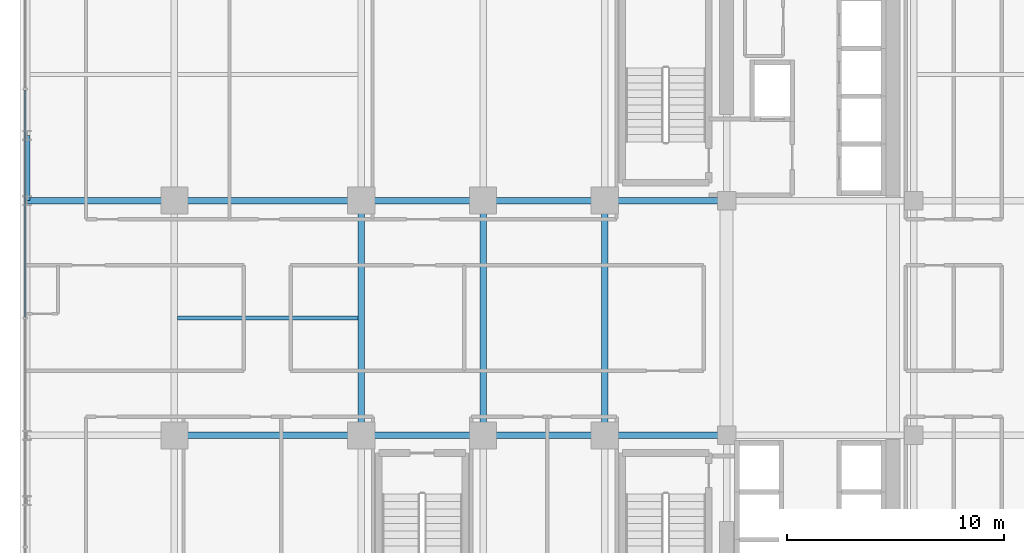
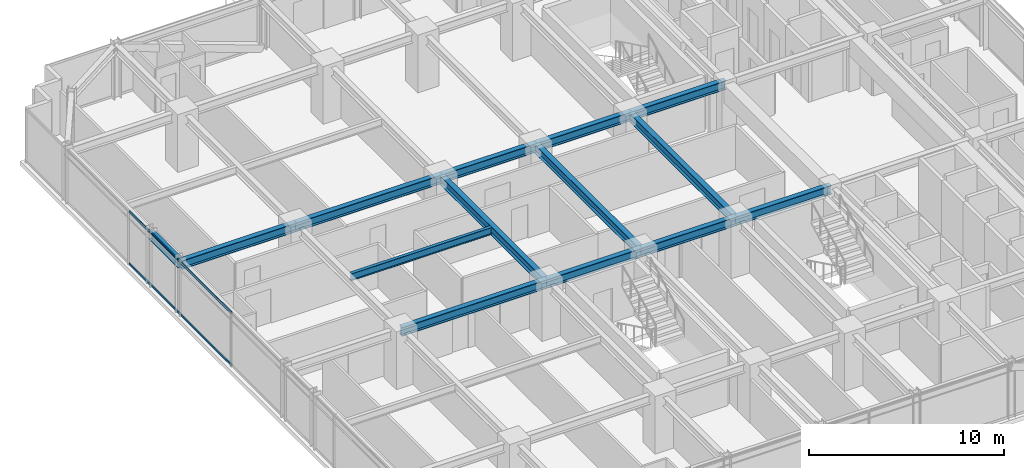
# One storey, part 9 of 41: 14 beams, 2 members, 1 element without a shape of its own.
"""IFC4 building model written with IfcOpenShell, lengths in metres."""

import ifcopenshell
import ifcopenshell.guid

model = None  # the IFC model being written
_history = None  # IfcOwnerHistory: only IFC2X3 demands one
_inside = {}  # id of a spatial element -> (the spatial element, [elements in it])
_under = {}  # id of a project, library or spatial element -> (it, [spatial elements below it])
_declared = {}  # id of a project -> (the project, [libraries it declares])
_typed = {}  # id of a type object -> (the type object, [elements of that type])
_made_of = {}  # id of a material, layer set ... -> (it, [elements and type objects made of it])


def new_model(schema):
    """Start an empty IFC model of exactly this schema.

    Asked for "IFC4X3", IfcOpenShell would pick the latest addendum, in which some entities
    have other attributes; the version numbers below select the first issue.
    IFC2X3 requires an IfcOwnerHistory on every rooted entity: one is made here for all.
    """
    global model, _history
    if schema == "IFC4X3":
        model = ifcopenshell.file(schema_version=(4, 3, 0, 0))
    else:
        model = ifcopenshell.file(schema=schema)
    _inside.clear()
    _under.clear()
    _declared.clear()
    _typed.clear()
    _made_of.clear()
    _history = None
    if model.schema == "IFC2X3":
        org = make("IfcOrganization", Name="unknown")
        user = make(
            "IfcPersonAndOrganization",
            ThePerson=make("IfcPerson", FamilyName="unknown"),
            TheOrganization=org,
        )
        app = make(
            "IfcApplication",
            ApplicationDeveloper=org,
            Version="unknown",
            ApplicationFullName="unknown",
            ApplicationIdentifier="unknown",
        )
        _history = make(
            "IfcOwnerHistory",
            OwningUser=user,
            OwningApplication=app,
            ChangeAction="ADDED",
            CreationDate=0,
        )
    return model


def make(cls, **values):
    """One entity of the class cls with the attributes given. An attribute that is None is left unset."""
    return model.create_entity(
        cls, **{name: value for name, value in values.items() if value is not None}
    )


def rooted(cls, **values):
    """An entity with a GlobalId (a new one), such as an element, a storey or a relation."""
    return make(cls, GlobalId=ifcopenshell.guid.new(), OwnerHistory=_history, **values)


def si_unit(unit_type, name, prefix=None):
    """IfcSIUnit, for example si_unit("LENGTHUNIT", "METRE", prefix="MILLI")."""
    return make("IfcSIUnit", UnitType=unit_type, Prefix=prefix, Name=name)


def assignment(units):
    """IfcUnitAssignment: the units of a project."""
    return None if units is None else make("IfcUnitAssignment", Units=units)


def point(xyz):
    """IfcCartesianPoint."""
    return None if xyz is None else make("IfcCartesianPoint", Coordinates=xyz)


def direction(xyz):
    """IfcDirection."""
    return None if xyz is None else make("IfcDirection", DirectionRatios=xyz)


def frame(location, z_axis=None, x_axis=None):
    """IfcAxis2Placement3D, a coordinate frame: its origin and axes. An axis left out is left unset."""
    return make(
        "IfcAxis2Placement3D",
        Location=point(location),
        Axis=direction(z_axis),
        RefDirection=direction(x_axis),
    )


def frame_2d(location, x_axis=None):
    """IfcAxis2Placement2D, a coordinate frame in the plane: its origin and x axis."""
    return make(
        "IfcAxis2Placement2D", Location=point(location), RefDirection=direction(x_axis)
    )


def origin():
    """The frame at (0, 0, 0) with its axes left unset."""
    return frame((0.0, 0.0, 0.0))


def origin_2d():
    """The frame at (0, 0) in the plane with its x axis left unset."""
    return frame_2d((0.0, 0.0))


def place(relative_to, where):
    """IfcLocalPlacement: puts the frame where relative to a parent placement (None: the world)."""
    return make(
        "IfcLocalPlacement", PlacementRelTo=relative_to, RelativePlacement=where
    )


def context(
    kind, dimensions, precision=None, world=None, true_north=None, identifier=None
):
    """IfcGeometricRepresentationContext, for example the 3D "Model" context."""
    return make(
        "IfcGeometricRepresentationContext",
        ContextIdentifier=identifier,
        ContextType=kind,
        CoordinateSpaceDimension=dimensions,
        Precision=precision,
        WorldCoordinateSystem=world,
        TrueNorth=true_north,
    )


def subcontext(parent, identifier, kind, view, scale=None):
    """IfcGeometricRepresentationSubContext, for example "Body" below "Model"."""
    return make(
        "IfcGeometricRepresentationSubContext",
        ContextIdentifier=identifier,
        ContextType=kind,
        ParentContext=parent,
        TargetScale=scale,
        TargetView=view,
    )


def project(units=None, contexts=None):
    """IfcProject with its units and contexts."""
    return rooted(
        "IfcProject",
        Name="project",
        RepresentationContexts=contexts,
        UnitsInContext=assignment(units),
    )


def spatial(cls, under=None, at=None, **own):
    """A site, building, storey or space (cls), placed at a placement, below another one or the project."""
    s = rooted(cls, ObjectPlacement=at, **own)
    if under is not None:
        _under.setdefault(under.id(), (under, []))[1].append(s)
    return s


def profile(cls, at=None, kind="AREA", **sizes):
    """A parametric profile (cls). Its sizes go by their IFC names, for example OverallWidth=200.0."""
    return make(cls, ProfileType=kind, Position=at, **sizes)


def hollow_rectangle(**sizes):
    """IfcRectangleHollowProfileDef."""
    return profile("IfcRectangleHollowProfileDef", **sizes)


def i_section(**sizes):
    """IfcIShapeProfileDef."""
    return profile("IfcIShapeProfileDef", **sizes)


def extrude(swept, where, along, depth):
    """IfcExtrudedAreaSolid: the profile swept, set in the frame where, extruded along a direction by depth."""
    return make(
        "IfcExtrudedAreaSolid",
        SweptArea=swept,
        Position=where,
        ExtrudedDirection=direction(along),
        Depth=depth,
    )


def shape(context_of_items, identifier, shape_type, items):
    """IfcShapeRepresentation: the items that make up one representation, for example the "Body"."""
    return make(
        "IfcShapeRepresentation",
        ContextOfItems=context_of_items,
        RepresentationIdentifier=identifier,
        RepresentationType=shape_type,
        Items=items,
    )


def source(mapping_origin, context_of_items, identifier, shape_type, items):
    """IfcRepresentationMap: a shape defined once, which mapped items show again and again."""
    return make(
        "IfcRepresentationMap",
        MappingOrigin=mapping_origin,
        MappedRepresentation=shape(context_of_items, identifier, shape_type, items),
    )


def transform(
    local_origin,
    x_axis=None,
    y_axis=None,
    z_axis=None,
    scale=None,
    scale2=None,
    scale3=None,
    uniform=True,
):
    """IfcCartesianTransformationOperator3D, or its non-uniform kind. x_axis, y_axis, z_axis: its Axis1, 2, 3."""
    if uniform:
        return make(
            "IfcCartesianTransformationOperator3D",
            Axis1=direction(x_axis),
            Axis2=direction(y_axis),
            LocalOrigin=point(local_origin),
            Scale=scale,
            Axis3=direction(z_axis),
        )
    return make(
        "IfcCartesianTransformationOperator3DnonUniform",
        Axis1=direction(x_axis),
        Axis2=direction(y_axis),
        LocalOrigin=point(local_origin),
        Scale=scale,
        Axis3=direction(z_axis),
        Scale2=scale2,
        Scale3=scale3,
    )


def mapped(mapping_source, mapping_target):
    """IfcMappedItem: shows the shape of a source again, moved by a transform."""
    return make(
        "IfcMappedItem", MappingSource=mapping_source, MappingTarget=mapping_target
    )


def material(Name=None, Category=None):
    """IfcMaterial."""
    return make("IfcMaterial", Name=Name, Category=Category)


def material_profile(
    of_material, cross_section, Name=None, Category=None, Priority=None
):
    """IfcMaterialProfile: a cross section and its material."""
    return make(
        "IfcMaterialProfile",
        Name=Name,
        Material=of_material,
        Profile=cross_section,
        Priority=Priority,
        Category=Category,
    )


def profile_set(profiles, Name=None, composite=None):
    """IfcMaterialProfileSet."""
    return make(
        "IfcMaterialProfileSet",
        Name=Name,
        MaterialProfiles=profiles,
        CompositeProfile=composite,
    )


def made_of(thing, what):
    """Note that an element or type object is made of a material, layer set ...; save() writes the relation."""
    if what is not None:
        _made_of.setdefault(what.id(), (what, []))[1].append(thing)
    return thing


def type_object(cls, material=None, **own):
    """A type object (cls), such as IfcWallType, which elements share."""
    return made_of(rooted(cls, **own), material)


def element(
    cls,
    number,
    at=None,
    inside=None,
    cuts=None,
    type_object=None,
    material=None,
    context=None,
    identifier="Body",
    shape_type=None,
    held_by="IfcProductDefinitionShape",
    body=None,
    shapes=None,
    **own,
):
    """One element of the class cls, such as IfcWall. Its Tag is "e" and its number.

    at: its placement. inside: the storey or other place that contains it. cuts: it is an
    opening in that element (IfcRelVoidsElement). A single representation is given by context,
    identifier, shape_type and body (its items); several are given by shapes. held_by: the class
    of the entity that holds the representations. save() writes the other relations.
    """
    e = rooted(cls, Tag="e%d" % number, ObjectPlacement=at, **own)
    if body is not None:
        shapes = [shape(context, identifier, shape_type, body)]
    if shapes is not None:
        e.Representation = make(held_by, Representations=shapes)
    if inside is not None:
        _inside.setdefault(inside.id(), (inside, []))[1].append(e)
    if cuts is not None:
        rooted(
            "IfcRelVoidsElement", RelatingBuildingElement=cuts, RelatedOpeningElement=e
        )
    if type_object is not None:
        _typed.setdefault(type_object.id(), (type_object, []))[1].append(e)
    return made_of(e, material)


def aggregate(whole, parts):
    """IfcRelAggregates: a whole, such as a stair, and the parts it consists of."""
    return rooted("IfcRelAggregates", RelatingObject=whole, RelatedObjects=parts)


def save(model, path):
    """Write the relations noted so far, then the file.

    IfcRelAggregates (storeys below a building ...), IfcRelContainedInSpatialStructure (elements
    in a storey), IfcRelDefinesByType, IfcRelAssociatesMaterial and IfcRelDeclares: one each for
    every whole, place, type object, material and project.
    """
    for whole, parts in _under.values():
        aggregate(whole, parts)
    for where, things in _inside.values():
        rooted(
            "IfcRelContainedInSpatialStructure",
            RelatedElements=things,
            RelatingStructure=where,
        )
    for kind, things in _typed.values():
        rooted("IfcRelDefinesByType", RelatedObjects=things, RelatingType=kind)
    for what, things in _made_of.values():
        rooted("IfcRelAssociatesMaterial", RelatedObjects=things, RelatingMaterial=what)
    for by, libraries in _declared.values():
        rooted("IfcRelDeclares", RelatingContext=by, RelatedDefinitions=libraries)
    model.write(path)


model = new_model("IFC4")

# Units and contexts
model_context = context("Model", 3, precision=1e-05, world=origin(), true_north=direction((0.0, 1.0)))
body_context = subcontext(model_context, "Body", "Model", "MODEL_VIEW")
ifc_project = project(units=[si_unit("LENGTHUNIT", "METRE"), si_unit("AREAUNIT", "SQUARE_METRE"), si_unit("VOLUMEUNIT", "CUBIC_METRE"), si_unit("PLANEANGLEUNIT", "RADIAN"), si_unit("MASSUNIT", "GRAM", prefix="KILO")], contexts=[model_context])

# Site, building, storey
site_placement = place(None, origin())
site = spatial("IfcSite", under=ifc_project, at=site_placement, CompositionType="ELEMENT")
building_placement = place(site_placement, origin())
building = spatial("IfcBuilding", under=site, at=building_placement, Name="Nahalor Promenade Grand Hotel", CompositionType="ELEMENT")
storey_placement = place(building_placement, frame((0.0, 0.0, 113.85009765625)))
storey = spatial("IfcBuildingStorey", under=building, at=storey_placement, Name="L28", CompositionType="ELEMENT", Elevation=113.85009765625)

# Beams
ifc_material_1 = material(Name="Steel S355JR", Category="steel")
ifc_material_profile_1 = material_profile(ifc_material_1, i_section(OverallWidth=0.3, OverallDepth=0.5, WebThickness=0.0145, FlangeThickness=0.028, at=origin_2d()), Name="HEB 500")
ifc_profile_set_1 = profile_set([ifc_material_profile_1], Name="Steel S355JR")
beam_type_1 = type_object("IfcBeamType", Name="Beam-Spandrel-HEB500", PredefinedType="SPANDREL", material=ifc_profile_set_1)
shared_shape_1 = source(origin(), body_context, "Body", "SweptSolid", [
    extrude(i_section(OverallWidth=0.3, OverallDepth=0.5, WebThickness=0.0145, FlangeThickness=0.028, at=origin_2d()), origin(), (0.0, 0.0, 1.0), 3.0),
])
beam_1_placement = place(storey_placement, frame((-23.780029296875, 5.39990234375, 3.1298828125), z_axis=(0.0, 1.0, 0.0), x_axis=(-1.0, 0.0, 0.0)))
element("IfcBeam", 1, at=beam_1_placement, inside=storey, type_object=beam_type_1, Name="BM-L28-SP-W-3", PredefinedType="SPANDREL", context=body_context, shape_type="MappedRepresentation", body=[
    mapped(shared_shape_1, transform((0.0, 0.0, 0.0), scale=1.0)),
])
ifc_material_profile_2 = material_profile(ifc_material_1, i_section(OverallWidth=0.3, OverallDepth=0.55, WebThickness=0.015, FlangeThickness=0.029, at=origin_2d()), Name="HEB 550")
ifc_profile_set_2 = profile_set([ifc_material_profile_2], Name="Steel S355JR")
beam_type_2 = type_object("IfcBeamType", Name="Beam-Girder-HEB550", PredefinedType="BEAM", material=ifc_profile_set_2)
shared_shape_2 = source(origin(), body_context, "Body", "SweptSolid", [
    extrude(i_section(OverallWidth=0.3, OverallDepth=0.55, WebThickness=0.015, FlangeThickness=0.029, at=origin_2d()), origin(), (0.0, 0.0, 1.0), 6.780029296875),
])
beam_2_placement = place(storey_placement, frame((-23.780029296875, 5.39990234375, 3.10498046875), z_axis=(1.0, 0.0, 0.0), x_axis=(0.0, 1.0, 0.0)))
element("IfcBeam", 2, at=beam_2_placement, inside=storey, type_object=beam_type_2, Name="BM-L28-GX-2-0", PredefinedType="BEAM", context=body_context, shape_type="MappedRepresentation", body=[
    mapped(shared_shape_2, transform((0.0, 0.0, 0.0), scale=1.0)),
])
shared_shape_3 = source(origin(), body_context, "Body", "SweptSolid", [
    extrude(i_section(OverallWidth=0.3, OverallDepth=0.55, WebThickness=0.015, FlangeThickness=0.029, at=origin_2d()), origin(), (0.0, 0.0, 1.0), 8.60009765625),
])
for number, where, z_axis, x_axis, name in (
    (3, (-17.0, -5.39990234375, 3.10498046875), (1.0, 0.0, 0.0), (0.0, 1.0, 0.0), "BM-L28-GX-1-1"),
    (4, (-17.0, 5.39990234375, 3.10498046875), (1.0, 0.0, 0.0), (0.0, 1.0, 0.0), "BM-L28-GX-2-1"),
):
    element("IfcBeam", number, at=place(storey_placement, frame(where, z_axis=z_axis, x_axis=x_axis)), inside=storey, type_object=beam_type_2, Name=name, PredefinedType="BEAM", context=body_context, shape_type="MappedRepresentation", body=[
        mapped(shared_shape_3, transform((0.0, 0.0, 0.0), scale=1.0)),
    ])
shared_shape_4 = source(origin(), body_context, "Body", "SweptSolid", [
    extrude(i_section(OverallWidth=0.3, OverallDepth=0.55, WebThickness=0.015, FlangeThickness=0.029, at=origin_2d()), origin(), (0.0, 0.0, 1.0), 5.599853515625),
])
for number, where, z_axis, x_axis, name in (
    (5, (-8.39990234375, -5.39990234375, 3.10498046875), (1.0, 0.0, 0.0), (0.0, 1.0, 0.0), "BM-L28-GX-1-2"),
    (6, (2.800048828125, -5.39990234375, 3.10498046875), (1.0, 0.0, 0.0), (0.0, 1.0, 0.0), "BM-L28-GX-1-4"),
    (7, (-8.39990234375, 5.39990234375, 3.10498046875), (1.0, 0.0, 0.0), (0.0, 1.0, 0.0), "BM-L28-GX-2-2"),
    (8, (2.800048828125, 5.39990234375, 3.10498046875), (1.0, 0.0, 0.0), (0.0, 1.0, 0.0), "BM-L28-GX-2-4"),
):
    element("IfcBeam", number, at=place(storey_placement, frame(where, z_axis=z_axis, x_axis=x_axis)), inside=storey, type_object=beam_type_2, Name=name, PredefinedType="BEAM", context=body_context, shape_type="MappedRepresentation", body=[
        mapped(shared_shape_4, transform((0.0, 0.0, 0.0), scale=1.0)),
    ])
shared_shape_5 = source(origin(), body_context, "Body", "SweptSolid", [
    extrude(i_section(OverallWidth=0.3, OverallDepth=0.55, WebThickness=0.015, FlangeThickness=0.029, at=origin_2d()), origin(), (0.0, 0.0, 1.0), 5.60009765625),
])
for number, where, z_axis, x_axis, name in (
    (9, (-2.800048828125, -5.39990234375, 3.10498046875), (1.0, 0.0, 0.0), (0.0, 1.0, 0.0), "BM-L28-GX-1-3"),
    (10, (-2.800048828125, 5.39990234375, 3.10498046875), (1.0, 0.0, 0.0), (0.0, 1.0, 0.0), "BM-L28-GX-2-3"),
):
    element("IfcBeam", number, at=place(storey_placement, frame(where, z_axis=z_axis, x_axis=x_axis)), inside=storey, type_object=beam_type_2, Name=name, PredefinedType="BEAM", context=body_context, shape_type="MappedRepresentation", body=[
        mapped(shared_shape_5, transform((0.0, 0.0, 0.0), scale=1.0)),
    ])
shared_shape_6 = source(origin(), body_context, "Body", "SweptSolid", [
    extrude(i_section(OverallWidth=0.3, OverallDepth=0.55, WebThickness=0.015, FlangeThickness=0.029, at=origin_2d()), origin(), (0.0, 0.0, 1.0), 10.7998046875),
])
for number, where, z_axis, x_axis, name in (
    (11, (-8.39990234375, -5.39990234375, 3.10498046875), (0.0, 1.0, 0.0), (-1.0, 0.0, 0.0), "BM-L28-GY-1-2"),
    (12, (-2.800048828125, -5.39990234375, 3.10498046875), (0.0, 1.0, 0.0), (-1.0, 0.0, 0.0), "BM-L28-GY-2-2"),
    (13, (2.800048828125, -5.39990234375, 3.10498046875), (0.0, 1.0, 0.0), (-1.0, 0.0, 0.0), "BM-L28-GY-3-2"),
):
    element("IfcBeam", number, at=place(storey_placement, frame(where, z_axis=z_axis, x_axis=x_axis)), inside=storey, type_object=beam_type_2, Name=name, PredefinedType="BEAM", context=body_context, shape_type="MappedRepresentation", body=[
        mapped(shared_shape_6, transform((0.0, 0.0, 0.0), scale=1.0)),
    ])
ifc_material_profile_3 = material_profile(ifc_material_1, i_section(OverallWidth=0.19, OverallDepth=0.45, WebThickness=0.0094, FlangeThickness=0.0146, at=origin_2d()), Name="IPE 450")
ifc_profile_set_3 = profile_set([ifc_material_profile_3], Name="Steel S355JR")
beam_type_3 = type_object("IfcBeamType", Name="Beam-Joist-IPE450", PredefinedType="JOIST", material=ifc_profile_set_3)
shared_shape_7 = source(origin(), body_context, "Body", "SweptSolid", [
    extrude(i_section(OverallWidth=0.19, OverallDepth=0.45, WebThickness=0.0094, FlangeThickness=0.0146, at=origin_2d()), origin(), (0.0, 0.0, 1.0), 8.300048828125),
])
beam_3_placement = place(storey_placement, frame((-16.85009765625, 0.0, 3.15478515625), z_axis=(1.0, 0.0, 0.0), x_axis=(0.0, 1.0, 0.0)))
element("IfcBeam", 14, at=beam_3_placement, inside=storey, type_object=beam_type_3, Name="BM-L28-JSC-0", PredefinedType="JOIST", context=body_context, shape_type="MappedRepresentation", body=[
    mapped(shared_shape_7, transform((0.0, 0.0, 0.0), scale=1.0)),
])

# Curtain wall, members
ifc_material_2 = material(Name="Anodised Bronze Aluminium EN AW-6063 T6", Category="aluminium")
curtain_wall_type = type_object("IfcCurtainWallType", Name="CW2 Typical Hotel Flush Bronze Unitised Curtain Wall", PredefinedType="USERDEFINED", material=ifc_material_2)
curtain_wall_placement = place(storey_placement, origin())
curtain_wall = element("IfcCurtainWall", 15, at=curtain_wall_placement, inside=storey, type_object=curtain_wall_type, Name="L28 Curtain Wall CW-L28-W-1", ObjectType="UNITISED_CURTAIN_WALL", PredefinedType="USERDEFINED")
ifc_material_profile_4 = material_profile(ifc_material_2, hollow_rectangle(XDim=0.065, YDim=0.13, WallThickness=0.004, at=origin_2d()), Name="CWT 65x130x4")
ifc_profile_set_4 = profile_set([ifc_material_profile_4], Name="Anodised Bronze Aluminium EN AW-6063 T6")
member_type = type_object("IfcMemberType", Name="CWT2 Typical Bronze Transom 65x130", PredefinedType="USERDEFINED", material=ifc_profile_set_4)
shared_shape_8 = source(origin(), body_context, "Body", "SweptSolid", [
    extrude(hollow_rectangle(XDim=0.065, YDim=0.13, WallThickness=0.004, at=origin_2d()), origin(), (0.0, 0.0, 1.0), 10.465087890625),
])
member_1_placement = place(storey_placement, frame((-23.860107421875, 0.032470703125, 0.06494140625), z_axis=(0.0, 1.0, 0.0), x_axis=(-1.0, 0.0, 0.0)))
member_1 = element("IfcMember", 16, at=member_1_placement, type_object=member_type, Name="CW-L28-W-1 Transom 2-0", ObjectType="TRANSOM", PredefinedType="USERDEFINED", context=body_context, shape_type="MappedRepresentation", body=[
    mapped(shared_shape_8, transform((0.0, 0.0, 0.0), scale=1.0)),
])
member_2_placement = place(storey_placement, frame((-23.860107421875, 0.032470703125, 3.31494140625), z_axis=(0.0, 1.0, 0.0), x_axis=(-1.0, 0.0, 0.0)))
member_2 = element("IfcMember", 17, at=member_2_placement, type_object=member_type, Name="CW-L28-W-1 Transom 2-1", ObjectType="TRANSOM", PredefinedType="USERDEFINED", context=body_context, shape_type="MappedRepresentation", body=[
    mapped(shared_shape_8, transform((0.0, 0.0, 0.0), scale=1.0)),
])
aggregate(curtain_wall, [member_1, member_2])

save(model, "model.ifc")
